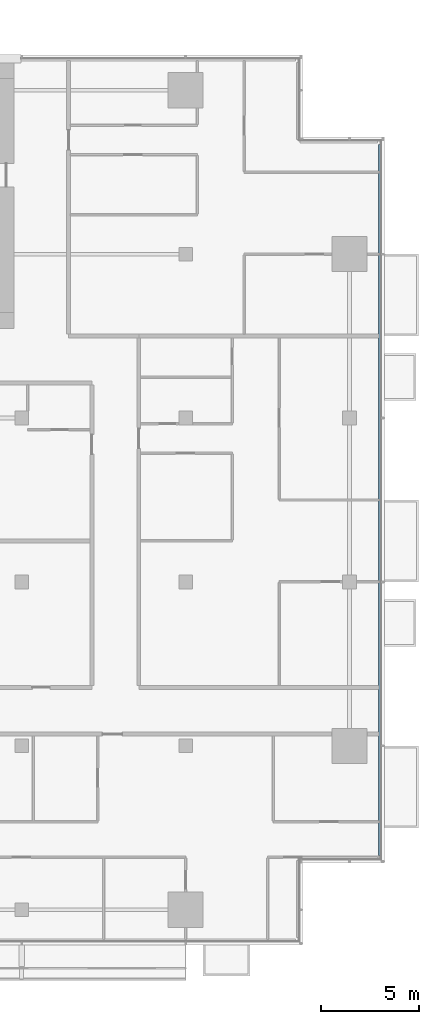
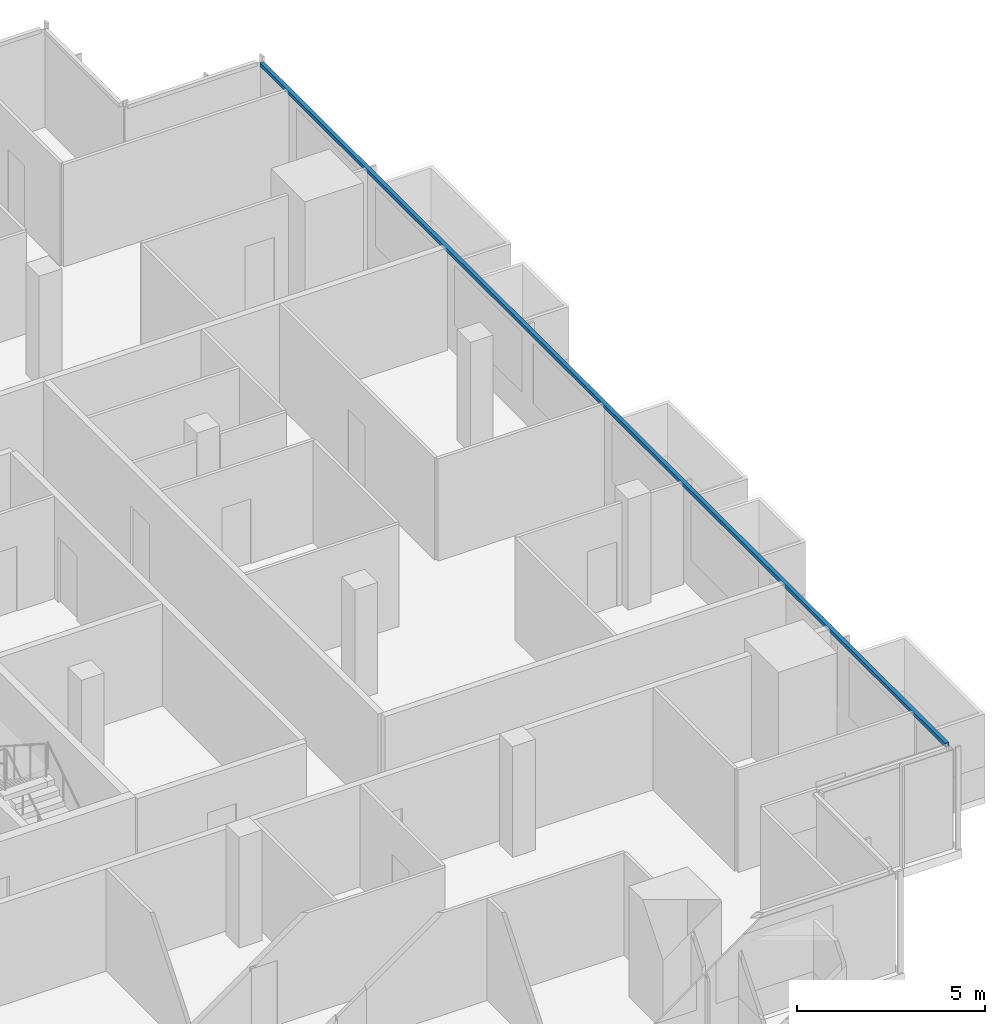
# One storey, part 12 of 28: 1 member, 1 element without a shape of its own.
"""IFC4 building model written with IfcOpenShell, lengths in metres."""

import ifcopenshell
import ifcopenshell.guid

model = None  # the IFC model being written
_history = None  # IfcOwnerHistory: only IFC2X3 demands one
_inside = {}  # id of a spatial element -> (the spatial element, [elements in it])
_under = {}  # id of a project, library or spatial element -> (it, [spatial elements below it])
_declared = {}  # id of a project -> (the project, [libraries it declares])
_typed = {}  # id of a type object -> (the type object, [elements of that type])
_made_of = {}  # id of a material, layer set ... -> (it, [elements and type objects made of it])


def new_model(schema):
    """Start an empty IFC model of exactly this schema.

    Asked for "IFC4X3", IfcOpenShell would pick the latest addendum, in which some entities
    have other attributes; the version numbers below select the first issue.
    IFC2X3 requires an IfcOwnerHistory on every rooted entity: one is made here for all.
    """
    global model, _history
    if schema == "IFC4X3":
        model = ifcopenshell.file(schema_version=(4, 3, 0, 0))
    else:
        model = ifcopenshell.file(schema=schema)
    _inside.clear()
    _under.clear()
    _declared.clear()
    _typed.clear()
    _made_of.clear()
    _history = None
    if model.schema == "IFC2X3":
        org = make("IfcOrganization", Name="unknown")
        user = make(
            "IfcPersonAndOrganization",
            ThePerson=make("IfcPerson", FamilyName="unknown"),
            TheOrganization=org,
        )
        app = make(
            "IfcApplication",
            ApplicationDeveloper=org,
            Version="unknown",
            ApplicationFullName="unknown",
            ApplicationIdentifier="unknown",
        )
        _history = make(
            "IfcOwnerHistory",
            OwningUser=user,
            OwningApplication=app,
            ChangeAction="ADDED",
            CreationDate=0,
        )
    return model


def make(cls, **values):
    """One entity of the class cls with the attributes given. An attribute that is None is left unset."""
    return model.create_entity(
        cls, **{name: value for name, value in values.items() if value is not None}
    )


def rooted(cls, **values):
    """An entity with a GlobalId (a new one), such as an element, a storey or a relation."""
    return make(cls, GlobalId=ifcopenshell.guid.new(), OwnerHistory=_history, **values)


def si_unit(unit_type, name, prefix=None):
    """IfcSIUnit, for example si_unit("LENGTHUNIT", "METRE", prefix="MILLI")."""
    return make("IfcSIUnit", UnitType=unit_type, Prefix=prefix, Name=name)


def assignment(units):
    """IfcUnitAssignment: the units of a project."""
    return None if units is None else make("IfcUnitAssignment", Units=units)


def point(xyz):
    """IfcCartesianPoint."""
    return None if xyz is None else make("IfcCartesianPoint", Coordinates=xyz)


def direction(xyz):
    """IfcDirection."""
    return None if xyz is None else make("IfcDirection", DirectionRatios=xyz)


def frame(location, z_axis=None, x_axis=None):
    """IfcAxis2Placement3D, a coordinate frame: its origin and axes. An axis left out is left unset."""
    return make(
        "IfcAxis2Placement3D",
        Location=point(location),
        Axis=direction(z_axis),
        RefDirection=direction(x_axis),
    )


def frame_2d(location, x_axis=None):
    """IfcAxis2Placement2D, a coordinate frame in the plane: its origin and x axis."""
    return make(
        "IfcAxis2Placement2D", Location=point(location), RefDirection=direction(x_axis)
    )


def origin():
    """The frame at (0, 0, 0) with its axes left unset."""
    return frame((0.0, 0.0, 0.0))


def origin_2d():
    """The frame at (0, 0) in the plane with its x axis left unset."""
    return frame_2d((0.0, 0.0))


def place(relative_to, where):
    """IfcLocalPlacement: puts the frame where relative to a parent placement (None: the world)."""
    return make(
        "IfcLocalPlacement", PlacementRelTo=relative_to, RelativePlacement=where
    )


def context(
    kind, dimensions, precision=None, world=None, true_north=None, identifier=None
):
    """IfcGeometricRepresentationContext, for example the 3D "Model" context."""
    return make(
        "IfcGeometricRepresentationContext",
        ContextIdentifier=identifier,
        ContextType=kind,
        CoordinateSpaceDimension=dimensions,
        Precision=precision,
        WorldCoordinateSystem=world,
        TrueNorth=true_north,
    )


def subcontext(parent, identifier, kind, view, scale=None):
    """IfcGeometricRepresentationSubContext, for example "Body" below "Model"."""
    return make(
        "IfcGeometricRepresentationSubContext",
        ContextIdentifier=identifier,
        ContextType=kind,
        ParentContext=parent,
        TargetScale=scale,
        TargetView=view,
    )


def project(units=None, contexts=None):
    """IfcProject with its units and contexts."""
    return rooted(
        "IfcProject",
        Name="project",
        RepresentationContexts=contexts,
        UnitsInContext=assignment(units),
    )


def spatial(cls, under=None, at=None, **own):
    """A site, building, storey or space (cls), placed at a placement, below another one or the project."""
    s = rooted(cls, ObjectPlacement=at, **own)
    if under is not None:
        _under.setdefault(under.id(), (under, []))[1].append(s)
    return s


def profile(cls, at=None, kind="AREA", **sizes):
    """A parametric profile (cls). Its sizes go by their IFC names, for example OverallWidth=200.0."""
    return make(cls, ProfileType=kind, Position=at, **sizes)


def rectangle(**sizes):
    """IfcRectangleProfileDef."""
    return profile("IfcRectangleProfileDef", **sizes)


def extrude(swept, where, along, depth):
    """IfcExtrudedAreaSolid: the profile swept, set in the frame where, extruded along a direction by depth."""
    return make(
        "IfcExtrudedAreaSolid",
        SweptArea=swept,
        Position=where,
        ExtrudedDirection=direction(along),
        Depth=depth,
    )


def shape(context_of_items, identifier, shape_type, items):
    """IfcShapeRepresentation: the items that make up one representation, for example the "Body"."""
    return make(
        "IfcShapeRepresentation",
        ContextOfItems=context_of_items,
        RepresentationIdentifier=identifier,
        RepresentationType=shape_type,
        Items=items,
    )


def material(Name=None, Category=None):
    """IfcMaterial."""
    return make("IfcMaterial", Name=Name, Category=Category)


def material_profile(
    of_material, cross_section, Name=None, Category=None, Priority=None
):
    """IfcMaterialProfile: a cross section and its material."""
    return make(
        "IfcMaterialProfile",
        Name=Name,
        Material=of_material,
        Profile=cross_section,
        Priority=Priority,
        Category=Category,
    )


def profile_set(profiles, Name=None, composite=None):
    """IfcMaterialProfileSet."""
    return make(
        "IfcMaterialProfileSet",
        Name=Name,
        MaterialProfiles=profiles,
        CompositeProfile=composite,
    )


def made_of(thing, what):
    """Note that an element or type object is made of a material, layer set ...; save() writes the relation."""
    if what is not None:
        _made_of.setdefault(what.id(), (what, []))[1].append(thing)
    return thing


def type_object(cls, material=None, **own):
    """A type object (cls), such as IfcWallType, which elements share."""
    return made_of(rooted(cls, **own), material)


def element(
    cls,
    number,
    at=None,
    inside=None,
    cuts=None,
    type_object=None,
    material=None,
    context=None,
    identifier="Body",
    shape_type=None,
    held_by="IfcProductDefinitionShape",
    body=None,
    shapes=None,
    **own,
):
    """One element of the class cls, such as IfcWall. Its Tag is "e" and its number.

    at: its placement. inside: the storey or other place that contains it. cuts: it is an
    opening in that element (IfcRelVoidsElement). A single representation is given by context,
    identifier, shape_type and body (its items); several are given by shapes. held_by: the class
    of the entity that holds the representations. save() writes the other relations.
    """
    e = rooted(cls, Tag="e%d" % number, ObjectPlacement=at, **own)
    if body is not None:
        shapes = [shape(context, identifier, shape_type, body)]
    if shapes is not None:
        e.Representation = make(held_by, Representations=shapes)
    if inside is not None:
        _inside.setdefault(inside.id(), (inside, []))[1].append(e)
    if cuts is not None:
        rooted(
            "IfcRelVoidsElement", RelatingBuildingElement=cuts, RelatedOpeningElement=e
        )
    if type_object is not None:
        _typed.setdefault(type_object.id(), (type_object, []))[1].append(e)
    return made_of(e, material)


def aggregate(whole, parts):
    """IfcRelAggregates: a whole, such as a stair, and the parts it consists of."""
    return rooted("IfcRelAggregates", RelatingObject=whole, RelatedObjects=parts)


def save(model, path):
    """Write the relations noted so far, then the file.

    IfcRelAggregates (storeys below a building ...), IfcRelContainedInSpatialStructure (elements
    in a storey), IfcRelDefinesByType, IfcRelAssociatesMaterial and IfcRelDeclares: one each for
    every whole, place, type object, material and project.
    """
    for whole, parts in _under.values():
        aggregate(whole, parts)
    for where, things in _inside.values():
        rooted(
            "IfcRelContainedInSpatialStructure",
            RelatedElements=things,
            RelatingStructure=where,
        )
    for kind, things in _typed.values():
        rooted("IfcRelDefinesByType", RelatedObjects=things, RelatingType=kind)
    for what, things in _made_of.values():
        rooted("IfcRelAssociatesMaterial", RelatedObjects=things, RelatingMaterial=what)
    for by, libraries in _declared.values():
        rooted("IfcRelDeclares", RelatingContext=by, RelatedDefinitions=libraries)
    model.write(path)


model = new_model("IFC4")

# Units and contexts
model_context = context("Model", 3, precision=1e-05, world=origin(), true_north=direction((0.0, 1.0)))
body_context = subcontext(model_context, "Body", "Model", "MODEL_VIEW")
ifc_project = project(units=[si_unit("LENGTHUNIT", "METRE"), si_unit("AREAUNIT", "SQUARE_METRE"), si_unit("VOLUMEUNIT", "CUBIC_METRE"), si_unit("PLANEANGLEUNIT", "RADIAN"), si_unit("MASSUNIT", "GRAM", prefix="KILO")], contexts=[model_context])

# Site, building, storey
site_placement = place(None, origin())
site = spatial("IfcSite", under=ifc_project, at=site_placement, CompositionType="ELEMENT")
building_placement = place(site_placement, origin())
building = spatial("IfcBuilding", under=site, at=building_placement, Name="Saffron Gate Tower", CompositionType="ELEMENT")
storey_placement = place(building_placement, frame((0.0, 0.0, 154.64990234375)))
storey = spatial("IfcBuildingStorey", under=building, at=storey_placement, Name="L37", CompositionType="ELEMENT", Elevation=154.64990234375)

# Curtain wall, member
ifc_material = material(Name="Aluminium, bronze anodised", Category="aluminium")
curtain_wall_type = type_object("IfcCurtainWallType", Name="CWS2 curtain wall side facades", PredefinedType="NOTDEFINED", material=ifc_material)
curtain_wall_placement = place(storey_placement, origin())
curtain_wall = element("IfcCurtainWall", 1, at=curtain_wall_placement, inside=storey, type_object=curtain_wall_type, Name="CWS2 run 4", PredefinedType="NOTDEFINED")
ifc_material_profile = material_profile(ifc_material, rectangle(XDim=0.1201171875, YDim=0.1201171875, at=origin_2d()))
ifc_profile_set = profile_set([ifc_material_profile], Name="Aluminium, bronze anodised")
member_type = type_object("IfcMemberType", Name="CWS2 head transom", PredefinedType="USERDEFINED", material=ifc_profile_set)
member_placement = place(storey_placement, frame((126.951904296875, 34.568115234375, 3.260009765625), z_axis=(0.0, 1.0, 0.0), x_axis=(-1.0, 0.0, 0.0)))
member = element("IfcMember", 2, at=member_placement, type_object=member_type, Name="CWS2 head transom", ObjectType="TRANSOM", PredefinedType="USERDEFINED", context=body_context, shape_type="SweptSolid", body=[
    extrude(rectangle(XDim=0.1201171875, YDim=0.1201171875, at=origin_2d()), origin(), (0.0, 0.0, 1.0), 36.4638671875),
])
aggregate(curtain_wall, [member])

save(model, "model.ifc")
